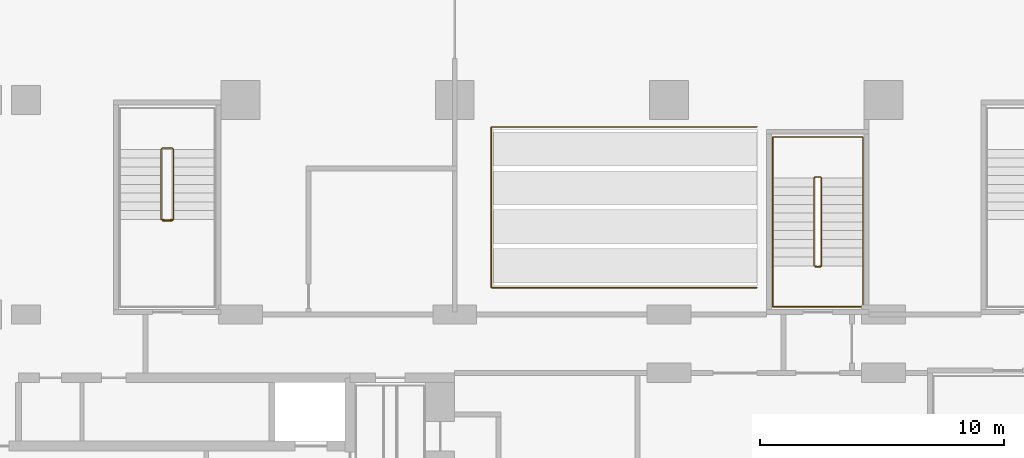
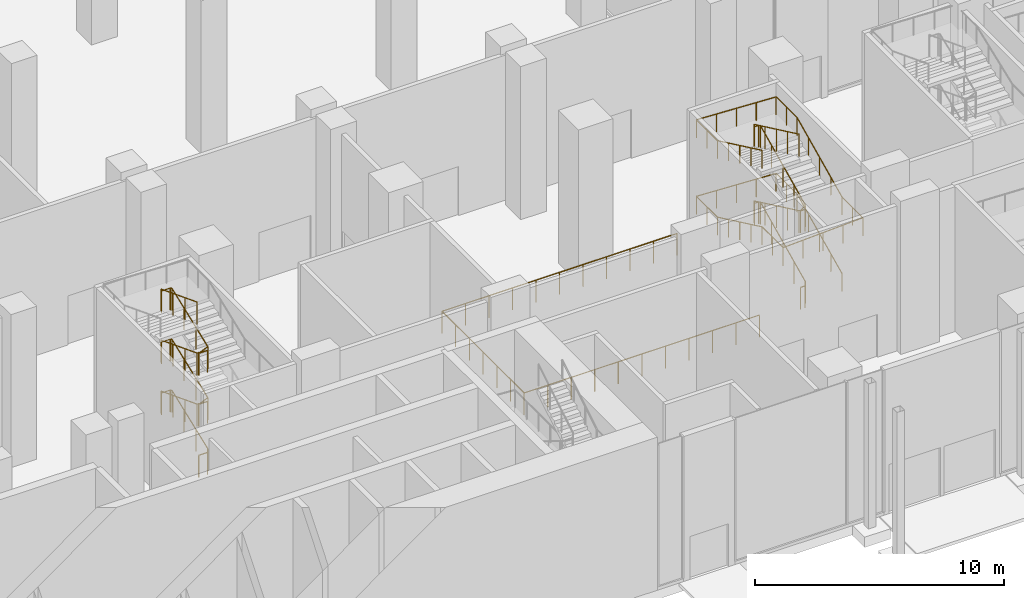
# One storey, part 34 of 41: 4 railings.
"""IFC4 building model written with IfcOpenShell, lengths in metres."""

from ifc_helpers import new_model, si_unit, direction, frame, origin, origin_2d, place, context, subcontext, project, spatial, circle, extrude, material, type_object, element, save


model = new_model("IFC4")

# Units and contexts
model_context = context("Model", 3, precision=1e-05, world=origin(), true_north=direction((0.0, 1.0)))
body_context = subcontext(model_context, "Body", "Model", "MODEL_VIEW")
ifc_project = project(units=[si_unit("LENGTHUNIT", "METRE"), si_unit("AREAUNIT", "SQUARE_METRE"), si_unit("VOLUMEUNIT", "CUBIC_METRE"), si_unit("PLANEANGLEUNIT", "RADIAN"), si_unit("MASSUNIT", "GRAM", prefix="KILO")], contexts=[model_context])

# Site, building, storey
site_placement = place(None, origin())
site = spatial("IfcSite", under=ifc_project, at=site_placement, CompositionType="ELEMENT")
building_placement = place(site_placement, origin())
building = spatial("IfcBuilding", under=site, at=building_placement, Name="Kemantara Hotel Tower", CompositionType="ELEMENT")
storey_placement = place(building_placement, origin())
storey = spatial("IfcBuildingStorey", under=building, at=storey_placement, Name="L00", CompositionType="ELEMENT", Elevation=0.0)

# Railings
ifc_material = material(Name="Stainless steel balustrade", Category="steel")
railing_type_1 = type_object("IfcRailingType", Name="STAINLESS STEEL GUARD 1100", PredefinedType="GUARDRAIL", material=ifc_material)
railing_1_placement = place(storey_placement, frame((57.39990234375, 13.300048828125, 0.0)))
element("IfcRailing", 1, at=railing_1_placement, inside=storey, type_object=railing_type_1, Name="ESCALATOR OPENING GUARD", PredefinedType="GUARDRAIL", context=body_context, shape_type="SweptSolid", body=[
    extrude(circle(Radius=0.02392578125, at=origin_2d()), frame((0.0, 0.0, 1.076171875), z_axis=(-1.0, 0.0, 0.0), x_axis=(0.0, -1.0, 0.0)), (0.0, 0.0, 1.0), 10.89990234375),
    extrude(circle(Radius=0.02392578125, at=origin_2d()), frame((-10.89990234375, 0.0, 1.076171875), z_axis=(0.0, 1.0, 0.0), x_axis=(-1.0, 0.0, 0.0)), (0.0, 0.0, 1.0), 6.599853515625),
    extrude(circle(Radius=0.02392578125, at=origin_2d()), frame((-10.89990234375, 6.599853515625, 1.076171875), z_axis=(1.0, 0.0, 0.0), x_axis=(0.0, 1.0, 0.0)), (0.0, 0.0, 1.0), 10.89990234375),
    extrude(circle(Radius=0.02099609375, at=origin_2d()), origin(), (0.0, 0.0, 1.0), 1.052001953125),
    extrude(circle(Radius=0.02099609375, at=origin_2d()), frame((-1.090087890625, 0.0, 0.0)), (0.0, 0.0, 1.0), 1.052001953125),
    extrude(circle(Radius=0.02099609375, at=origin_2d()), frame((-2.179931640625, 0.0, 0.0)), (0.0, 0.0, 1.0), 1.052001953125),
    extrude(circle(Radius=0.02099609375, at=origin_2d()), frame((-3.27001953125, 0.0, 0.0)), (0.0, 0.0, 1.0), 1.052001953125),
    extrude(circle(Radius=0.02099609375, at=origin_2d()), frame((-4.35986328125, 0.0, 0.0)), (0.0, 0.0, 1.0), 1.052001953125),
    extrude(circle(Radius=0.02099609375, at=origin_2d()), frame((-5.449951171875, 0.0, 0.0)), (0.0, 0.0, 1.0), 1.052001953125),
    extrude(circle(Radius=0.02099609375, at=origin_2d()), frame((-6.5400390625, 0.0, 0.0)), (0.0, 0.0, 1.0), 1.052001953125),
    extrude(circle(Radius=0.02099609375, at=origin_2d()), frame((-7.6298828125, 0.0, 0.0)), (0.0, 0.0, 1.0), 1.052001953125),
    extrude(circle(Radius=0.02099609375, at=origin_2d()), frame((-8.719970703125, 0.0, 0.0)), (0.0, 0.0, 1.0), 1.052001953125),
    extrude(circle(Radius=0.02099609375, at=origin_2d()), frame((-9.809814453125, 0.0, 0.0)), (0.0, 0.0, 1.0), 1.052001953125),
    extrude(circle(Radius=0.02099609375, at=origin_2d()), frame((-10.89990234375, 0.0, 0.0)), (0.0, 0.0, 1.0), 1.052001953125),
    extrude(circle(Radius=0.02099609375, at=origin_2d()), frame((-10.89990234375, 1.10009765625, 0.0)), (0.0, 0.0, 1.0), 1.052001953125),
    extrude(circle(Radius=0.02099609375, at=origin_2d()), frame((-10.89990234375, 2.199951171875, 0.0)), (0.0, 0.0, 1.0), 1.052001953125),
    extrude(circle(Radius=0.02099609375, at=origin_2d()), frame((-10.89990234375, 3.2998046875, 0.0)), (0.0, 0.0, 1.0), 1.052001953125),
    extrude(circle(Radius=0.02099609375, at=origin_2d()), frame((-10.89990234375, 4.39990234375, 0.0)), (0.0, 0.0, 1.0), 1.052001953125),
    extrude(circle(Radius=0.02099609375, at=origin_2d()), frame((-10.89990234375, 5.5, 0.0)), (0.0, 0.0, 1.0), 1.052001953125),
    extrude(circle(Radius=0.02099609375, at=origin_2d()), frame((-10.89990234375, 6.599853515625, 0.0)), (0.0, 0.0, 1.0), 1.052001953125),
    extrude(circle(Radius=0.02099609375, at=origin_2d()), frame((-9.809814453125, 6.599853515625, 0.0)), (0.0, 0.0, 1.0), 1.052001953125),
    extrude(circle(Radius=0.02099609375, at=origin_2d()), frame((-8.719970703125, 6.599853515625, 0.0)), (0.0, 0.0, 1.0), 1.052001953125),
    extrude(circle(Radius=0.02099609375, at=origin_2d()), frame((-7.6298828125, 6.599853515625, 0.0)), (0.0, 0.0, 1.0), 1.052001953125),
    extrude(circle(Radius=0.02099609375, at=origin_2d()), frame((-6.5400390625, 6.599853515625, 0.0)), (0.0, 0.0, 1.0), 1.052001953125),
    extrude(circle(Radius=0.02099609375, at=origin_2d()), frame((-5.449951171875, 6.599853515625, 0.0)), (0.0, 0.0, 1.0), 1.052001953125),
    extrude(circle(Radius=0.02099609375, at=origin_2d()), frame((-4.35986328125, 6.599853515625, 0.0)), (0.0, 0.0, 1.0), 1.052001953125),
    extrude(circle(Radius=0.02099609375, at=origin_2d()), frame((-3.27001953125, 6.599853515625, 0.0)), (0.0, 0.0, 1.0), 1.052001953125),
    extrude(circle(Radius=0.02099609375, at=origin_2d()), frame((-2.179931640625, 6.599853515625, 0.0)), (0.0, 0.0, 1.0), 1.052001953125),
    extrude(circle(Radius=0.02099609375, at=origin_2d()), frame((-1.090087890625, 6.599853515625, 0.0)), (0.0, 0.0, 1.0), 1.052001953125),
    extrude(circle(Radius=0.02099609375, at=origin_2d()), frame((0.0, 6.599853515625, 0.0)), (0.0, 0.0, 1.0), 1.052001953125),
])
railing_type_2 = type_object("IfcRailingType", Name="Stair guard 1100 mm", PredefinedType="GUARDRAIL", material=ifc_material)
railing_2_placement = place(storey_placement, frame((59.75, 14.199951171875, 7.5)))
element("IfcRailing", 2, at=railing_2_placement, inside=storey, type_object=railing_type_2, Name="L00 ST3 stair guard 1", PredefinedType="GUARDRAIL", context=body_context, shape_type="SweptSolid", body=[
    extrude(circle(Radius=0.02392578125, at=origin_2d()), frame((0.0, 0.0, 1.076171875), z_axis=(0.0, 0.903807716052, -0.427938795163), x_axis=(-1.0, 0.0, 0.0)), (0.0, 0.0, 1.0), 3.983154296875),
    extrude(circle(Radius=0.02392578125, at=origin_2d()), frame((0.0, 3.60009765625, -0.62841796875), z_axis=(0.271230943075, 0.271230943075, -0.923508284228), x_axis=(-0.707106781187, 0.707106781187, 0.0)), (0.0, 0.0, 1.0), 0.1845703125),
    extrude(circle(Radius=0.02392578125, at=origin_2d()), frame((0.050048828125, 3.650146484375, -0.798828125), z_axis=(1.0, 0.0, 0.0), x_axis=(0.0, 1.0, 0.0)), (0.0, 0.0, 1.0), 0.199951171875),
    extrude(circle(Radius=0.02392578125, at=origin_2d()), frame((0.25, 3.650146484375, -0.798828125), z_axis=(0.707106781187, -0.707106781187, 0.0), x_axis=(0.707106781187, 0.707106781187, 0.0)), (0.0, 0.0, 1.0), 0.07080078125),
    extrude(circle(Radius=0.02392578125, at=origin_2d()), frame((0.300048828125, 3.60009765625, -0.798828125), z_axis=(0.0, -0.903807716052, -0.427938795163), x_axis=(1.0, 0.0, 0.0)), (0.0, 0.0, 1.0), 3.983154296875),
    extrude(circle(Radius=0.02392578125, at=origin_2d()), frame((0.300048828125, 0.0, -2.50341796875), z_axis=(-0.815217122126, -0.163202646519, -0.555685108637), x_axis=(0.196300278283, -0.98054382908, 0.0)), (0.0, 0.0, 1.0), 0.306640625),
    extrude(circle(Radius=0.02392578125, at=origin_2d()), frame((0.050048828125, -0.050048828125, -2.673828125), z_axis=(1.0, 0.0, 0.0), x_axis=(0.0, 1.0, 0.0)), (0.0, 0.0, 1.0), 0.199951171875),
    extrude(circle(Radius=0.02392578125, at=origin_2d()), frame((0.25, -0.050048828125, -2.673828125), z_axis=(-0.98054382908, 0.196300278283, 0.0), x_axis=(-0.196300278283, -0.98054382908, 0.0)), (0.0, 0.0, 1.0), 0.2548828125),
    extrude(circle(Radius=0.02392578125, at=origin_2d()), frame((0.0, 0.0, -2.673828125), z_axis=(0.0, 0.903807716052, -0.427938795163), x_axis=(-1.0, 0.0, 0.0)), (0.0, 0.0, 1.0), 3.983154296875),
    extrude(circle(Radius=0.02392578125, at=origin_2d()), frame((0.0, 3.60009765625, -4.37841796875), z_axis=(0.271230943075, 0.271230943075, -0.923508284228), x_axis=(-0.707106781187, 0.707106781187, 0.0)), (0.0, 0.0, 1.0), 0.1845703125),
    extrude(circle(Radius=0.02392578125, at=origin_2d()), frame((0.050048828125, 3.650146484375, -4.548828125), z_axis=(1.0, 0.0, 0.0), x_axis=(0.0, 1.0, 0.0)), (0.0, 0.0, 1.0), 0.199951171875),
    extrude(circle(Radius=0.02392578125, at=origin_2d()), frame((0.25, 3.650146484375, -4.548828125), z_axis=(0.707106781187, -0.707106781187, 0.0), x_axis=(0.707106781187, 0.707106781187, 0.0)), (0.0, 0.0, 1.0), 0.07080078125),
    extrude(circle(Radius=0.02392578125, at=origin_2d()), frame((0.300048828125, 3.60009765625, -4.548828125), z_axis=(0.0, -0.903807716052, -0.427938795163), x_axis=(1.0, 0.0, 0.0)), (0.0, 0.0, 1.0), 3.983154296875),
    extrude(circle(Radius=0.02392578125, at=origin_2d()), frame((0.300048828125, 0.0, -6.25341796875), z_axis=(-0.271230943075, -0.271230943075, -0.923508284228), x_axis=(0.707106781187, -0.707106781187, 0.0)), (0.0, 0.0, 1.0), 0.1845703125),
    extrude(circle(Radius=0.02392578125, at=origin_2d()), frame((0.25, -0.050048828125, -6.423828125), z_axis=(-1.0, 0.0, 0.0), x_axis=(0.0, -1.0, 0.0)), (0.0, 0.0, 1.0), 0.199951171875),
    extrude(circle(Radius=0.02099609375, at=origin_2d()), origin(), (0.0, 0.0, 1.0), 1.052001953125),
    extrude(circle(Radius=0.02099609375, at=origin_2d()), frame((0.0, 0.89990234375, -0.42626953125)), (0.0, 0.0, 1.0), 1.052001953125),
    extrude(circle(Radius=0.02099609375, at=origin_2d()), frame((0.0, 1.800048828125, -0.852294921875)), (0.0, 0.0, 1.0), 1.052001953125),
    extrude(circle(Radius=0.02099609375, at=origin_2d()), frame((0.0, 2.7001953125, -1.2783203125)), (0.0, 0.0, 1.0), 1.052001953125),
    extrude(circle(Radius=0.02099609375, at=origin_2d()), frame((0.0, 3.60009765625, -1.70458984375)), (0.0, 0.0, 1.0), 1.052001953125),
    extrude(circle(Radius=0.02099609375, at=origin_2d()), frame((0.050048828125, 3.650146484375, -1.875)), (0.0, 0.0, 1.0), 1.052001953125),
    extrude(circle(Radius=0.02099609375, at=origin_2d()), frame((0.25, 3.650146484375, -1.875)), (0.0, 0.0, 1.0), 1.052001953125),
    extrude(circle(Radius=0.02099609375, at=origin_2d()), frame((0.300048828125, 3.60009765625, -1.875)), (0.0, 0.0, 1.0), 1.052001953125),
    extrude(circle(Radius=0.02099609375, at=origin_2d()), frame((0.300048828125, 2.7001953125, -2.30126953125)), (0.0, 0.0, 1.0), 1.052001953125),
    extrude(circle(Radius=0.02099609375, at=origin_2d()), frame((0.300048828125, 1.800048828125, -2.727294921875)), (0.0, 0.0, 1.0), 1.052001953125),
    extrude(circle(Radius=0.02099609375, at=origin_2d()), frame((0.300048828125, 0.89990234375, -3.1533203125)), (0.0, 0.0, 1.0), 1.052001953125),
    extrude(circle(Radius=0.02099609375, at=origin_2d()), frame((0.300048828125, 0.0, -3.57958984375)), (0.0, 0.0, 1.0), 1.052001953125),
    extrude(circle(Radius=0.02099609375, at=origin_2d()), frame((0.050048828125, -0.050048828125, -3.75)), (0.0, 0.0, 1.0), 1.052001953125),
    extrude(circle(Radius=0.02099609375, at=origin_2d()), frame((0.25, -0.050048828125, -3.75)), (0.0, 0.0, 1.0), 1.052001953125),
    extrude(circle(Radius=0.02099609375, at=origin_2d()), frame((0.0, 0.0, -3.75)), (0.0, 0.0, 1.0), 1.052001953125),
    extrude(circle(Radius=0.02099609375, at=origin_2d()), frame((0.0, 0.89990234375, -4.17626953125)), (0.0, 0.0, 1.0), 1.052001953125),
    extrude(circle(Radius=0.02099609375, at=origin_2d()), frame((0.0, 1.800048828125, -4.602294921875)), (0.0, 0.0, 1.0), 1.052001953125),
    extrude(circle(Radius=0.02099609375, at=origin_2d()), frame((0.0, 2.7001953125, -5.0283203125)), (0.0, 0.0, 1.0), 1.052001953125),
    extrude(circle(Radius=0.02099609375, at=origin_2d()), frame((0.0, 3.60009765625, -5.45458984375)), (0.0, 0.0, 1.0), 1.052001953125),
    extrude(circle(Radius=0.02099609375, at=origin_2d()), frame((0.050048828125, 3.650146484375, -5.625)), (0.0, 0.0, 1.0), 1.052001953125),
    extrude(circle(Radius=0.02099609375, at=origin_2d()), frame((0.25, 3.650146484375, -5.625)), (0.0, 0.0, 1.0), 1.052001953125),
    extrude(circle(Radius=0.02099609375, at=origin_2d()), frame((0.300048828125, 3.60009765625, -5.625)), (0.0, 0.0, 1.0), 1.052001953125),
    extrude(circle(Radius=0.02099609375, at=origin_2d()), frame((0.300048828125, 2.7001953125, -6.05126953125)), (0.0, 0.0, 1.0), 1.052001953125),
    extrude(circle(Radius=0.02099609375, at=origin_2d()), frame((0.300048828125, 1.800048828125, -6.477294921875)), (0.0, 0.0, 1.0), 1.052001953125),
    extrude(circle(Radius=0.02099609375, at=origin_2d()), frame((0.300048828125, 0.89990234375, -6.9033203125)), (0.0, 0.0, 1.0), 1.052001953125),
    extrude(circle(Radius=0.02099609375, at=origin_2d()), frame((0.300048828125, 0.0, -7.32958984375)), (0.0, 0.0, 1.0), 1.052001953125),
    extrude(circle(Radius=0.02099609375, at=origin_2d()), frame((0.25, -0.050048828125, -7.5)), (0.0, 0.0, 1.0), 1.052001953125),
    extrude(circle(Radius=0.02099609375, at=origin_2d()), frame((0.050048828125, -0.050048828125, -7.5)), (0.0, 0.0, 1.0), 1.052001953125),
])
railing_3_placement = place(storey_placement, frame((32.949951171875, 16.10009765625, 7.5)))
element("IfcRailing", 3, at=railing_3_placement, inside=storey, type_object=railing_type_2, Name="L00 PS3 stair guard 1", PredefinedType="GUARDRAIL", context=body_context, shape_type="SweptSolid", body=[
    extrude(circle(Radius=0.02392578125, at=origin_2d()), frame((0.0, 0.0, 1.076171875), z_axis=(0.0, 0.932972064118, -0.359948784656), x_axis=(-1.0, 0.0, 0.0)), (0.0, 0.0, 1.0), 3.086669921875),
    extrude(circle(Radius=0.02392578125, at=origin_2d()), frame((0.0, 2.8798828125, -0.03515625), z_axis=(0.321014310373, 0.321014310373, -0.891010451718), x_axis=(-0.707106781187, 0.707106781187, 0.0)), (0.0, 0.0, 1.0), 0.156005859375),
    extrude(circle(Radius=0.02392578125, at=origin_2d()), frame((0.050048828125, 2.929931640625, -0.173828125), z_axis=(1.0, 0.0, 0.0), x_axis=(0.0, 1.0, 0.0)), (0.0, 0.0, 1.0), 0.39990234375),
    extrude(circle(Radius=0.02392578125, at=origin_2d()), frame((0.449951171875, 2.929931640625, -0.173828125), z_axis=(0.707106781187, -0.707106781187, 0.0), x_axis=(0.707106781187, 0.707106781187, 0.0)), (0.0, 0.0, 1.0), 0.07080078125),
    extrude(circle(Radius=0.02392578125, at=origin_2d()), frame((0.5, 2.8798828125, -0.173828125), z_axis=(0.0, -0.932972064118, -0.359948784656), x_axis=(1.0, 0.0, 0.0)), (0.0, 0.0, 1.0), 3.086669921875),
    extrude(circle(Radius=0.02392578125, at=origin_2d()), frame((0.5, 0.0, -1.28515625), z_axis=(-0.950147067569, -0.105686461667, -0.293344374089), x_axis=(0.110549901152, -0.993870574751, 0.0)), (0.0, 0.0, 1.0), 0.4736328125),
    extrude(circle(Radius=0.02392578125, at=origin_2d()), frame((0.050048828125, -0.050048828125, -1.423828125), z_axis=(1.0, 0.0, 0.0), x_axis=(0.0, 1.0, 0.0)), (0.0, 0.0, 1.0), 0.39990234375),
    extrude(circle(Radius=0.02392578125, at=origin_2d()), frame((0.449951171875, -0.050048828125, -1.423828125), z_axis=(-0.993870574751, 0.110549901152, 0.0), x_axis=(-0.110549901152, -0.993870574751, 0.0)), (0.0, 0.0, 1.0), 0.45263671875),
    extrude(circle(Radius=0.02392578125, at=origin_2d()), frame((0.0, 0.0, -1.423828125), z_axis=(0.0, 0.932972064118, -0.359948784656), x_axis=(-1.0, 0.0, 0.0)), (0.0, 0.0, 1.0), 3.086669921875),
    extrude(circle(Radius=0.02392578125, at=origin_2d()), frame((0.0, 2.8798828125, -2.53515625), z_axis=(0.321014310373, 0.321014310373, -0.891010451718), x_axis=(-0.707106781187, 0.707106781187, 0.0)), (0.0, 0.0, 1.0), 0.156005859375),
    extrude(circle(Radius=0.02392578125, at=origin_2d()), frame((0.050048828125, 2.929931640625, -2.673828125), z_axis=(1.0, 0.0, 0.0), x_axis=(0.0, 1.0, 0.0)), (0.0, 0.0, 1.0), 0.39990234375),
    extrude(circle(Radius=0.02392578125, at=origin_2d()), frame((0.449951171875, 2.929931640625, -2.673828125), z_axis=(0.707106781187, -0.707106781187, 0.0), x_axis=(0.707106781187, 0.707106781187, 0.0)), (0.0, 0.0, 1.0), 0.07080078125),
    extrude(circle(Radius=0.02392578125, at=origin_2d()), frame((0.5, 2.8798828125, -2.673828125), z_axis=(0.0, -0.932972064118, -0.359948784656), x_axis=(1.0, 0.0, 0.0)), (0.0, 0.0, 1.0), 3.086669921875),
    extrude(circle(Radius=0.02392578125, at=origin_2d()), frame((0.5, 0.0, -3.78515625), z_axis=(-0.950147067569, -0.105686461667, -0.293344374089), x_axis=(0.110549901152, -0.993870574751, 0.0)), (0.0, 0.0, 1.0), 0.4736328125),
    extrude(circle(Radius=0.02392578125, at=origin_2d()), frame((0.050048828125, -0.050048828125, -3.923828125), z_axis=(1.0, 0.0, 0.0), x_axis=(0.0, 1.0, 0.0)), (0.0, 0.0, 1.0), 0.39990234375),
    extrude(circle(Radius=0.02392578125, at=origin_2d()), frame((0.449951171875, -0.050048828125, -3.923828125), z_axis=(-0.993870574751, 0.110549901152, 0.0), x_axis=(-0.110549901152, -0.993870574751, 0.0)), (0.0, 0.0, 1.0), 0.45263671875),
    extrude(circle(Radius=0.02392578125, at=origin_2d()), frame((0.0, 0.0, -3.923828125), z_axis=(0.0, 0.932972064118, -0.359948784656), x_axis=(-1.0, 0.0, 0.0)), (0.0, 0.0, 1.0), 3.086669921875),
    extrude(circle(Radius=0.02392578125, at=origin_2d()), frame((0.0, 2.8798828125, -5.03515625), z_axis=(0.321014310373, 0.321014310373, -0.891010451718), x_axis=(-0.707106781187, 0.707106781187, 0.0)), (0.0, 0.0, 1.0), 0.156005859375),
    extrude(circle(Radius=0.02392578125, at=origin_2d()), frame((0.050048828125, 2.929931640625, -5.173828125), z_axis=(1.0, 0.0, 0.0), x_axis=(0.0, 1.0, 0.0)), (0.0, 0.0, 1.0), 0.39990234375),
    extrude(circle(Radius=0.02392578125, at=origin_2d()), frame((0.449951171875, 2.929931640625, -5.173828125), z_axis=(0.707106781187, -0.707106781187, 0.0), x_axis=(0.707106781187, 0.707106781187, 0.0)), (0.0, 0.0, 1.0), 0.07080078125),
    extrude(circle(Radius=0.02392578125, at=origin_2d()), frame((0.5, 2.8798828125, -5.173828125), z_axis=(0.0, -0.932972064118, -0.359948784656), x_axis=(1.0, 0.0, 0.0)), (0.0, 0.0, 1.0), 3.086669921875),
    extrude(circle(Radius=0.02392578125, at=origin_2d()), frame((0.5, 0.0, -6.28515625), z_axis=(-0.321014310373, -0.321014310373, -0.891010451718), x_axis=(0.707106781187, -0.707106781187, 0.0)), (0.0, 0.0, 1.0), 0.156005859375),
    extrude(circle(Radius=0.02392578125, at=origin_2d()), frame((0.449951171875, -0.050048828125, -6.423828125), z_axis=(-1.0, 0.0, 0.0), x_axis=(0.0, -1.0, 0.0)), (0.0, 0.0, 1.0), 0.39990234375),
    extrude(circle(Radius=0.02099609375, at=origin_2d()), origin(), (0.0, 0.0, 1.0), 1.052001953125),
    extrude(circle(Radius=0.02099609375, at=origin_2d()), frame((0.0, 0.9599609375, -0.370361328125)), (0.0, 0.0, 1.0), 1.052001953125),
    extrude(circle(Radius=0.02099609375, at=origin_2d()), frame((0.0, 1.919921875, -0.74072265625)), (0.0, 0.0, 1.0), 1.052001953125),
    extrude(circle(Radius=0.02099609375, at=origin_2d()), frame((0.0, 2.8798828125, -1.111083984375)), (0.0, 0.0, 1.0), 1.052001953125),
    extrude(circle(Radius=0.02099609375, at=origin_2d()), frame((0.050048828125, 2.929931640625, -1.25)), (0.0, 0.0, 1.0), 1.052001953125),
    extrude(circle(Radius=0.02099609375, at=origin_2d()), frame((0.449951171875, 2.929931640625, -1.25)), (0.0, 0.0, 1.0), 1.052001953125),
    extrude(circle(Radius=0.02099609375, at=origin_2d()), frame((0.5, 2.8798828125, -1.25)), (0.0, 0.0, 1.0), 1.052001953125),
    extrude(circle(Radius=0.02099609375, at=origin_2d()), frame((0.5, 1.919921875, -1.620361328125)), (0.0, 0.0, 1.0), 1.052001953125),
    extrude(circle(Radius=0.02099609375, at=origin_2d()), frame((0.5, 0.9599609375, -1.99072265625)), (0.0, 0.0, 1.0), 1.052001953125),
    extrude(circle(Radius=0.02099609375, at=origin_2d()), frame((0.5, 0.0, -2.361083984375)), (0.0, 0.0, 1.0), 1.052001953125),
    extrude(circle(Radius=0.02099609375, at=origin_2d()), frame((0.050048828125, -0.050048828125, -2.5)), (0.0, 0.0, 1.0), 1.052001953125),
    extrude(circle(Radius=0.02099609375, at=origin_2d()), frame((0.449951171875, -0.050048828125, -2.5)), (0.0, 0.0, 1.0), 1.052001953125),
    extrude(circle(Radius=0.02099609375, at=origin_2d()), frame((0.0, 0.0, -2.5)), (0.0, 0.0, 1.0), 1.052001953125),
    extrude(circle(Radius=0.02099609375, at=origin_2d()), frame((0.0, 0.9599609375, -2.870361328125)), (0.0, 0.0, 1.0), 1.052001953125),
    extrude(circle(Radius=0.02099609375, at=origin_2d()), frame((0.0, 1.919921875, -3.24072265625)), (0.0, 0.0, 1.0), 1.052001953125),
    extrude(circle(Radius=0.02099609375, at=origin_2d()), frame((0.0, 2.8798828125, -3.611083984375)), (0.0, 0.0, 1.0), 1.052001953125),
    extrude(circle(Radius=0.02099609375, at=origin_2d()), frame((0.050048828125, 2.929931640625, -3.75)), (0.0, 0.0, 1.0), 1.052001953125),
    extrude(circle(Radius=0.02099609375, at=origin_2d()), frame((0.449951171875, 2.929931640625, -3.75)), (0.0, 0.0, 1.0), 1.052001953125),
    extrude(circle(Radius=0.02099609375, at=origin_2d()), frame((0.5, 2.8798828125, -3.75)), (0.0, 0.0, 1.0), 1.052001953125),
    extrude(circle(Radius=0.02099609375, at=origin_2d()), frame((0.5, 1.919921875, -4.120361328125)), (0.0, 0.0, 1.0), 1.052001953125),
    extrude(circle(Radius=0.02099609375, at=origin_2d()), frame((0.5, 0.9599609375, -4.49072265625)), (0.0, 0.0, 1.0), 1.052001953125),
    extrude(circle(Radius=0.02099609375, at=origin_2d()), frame((0.5, 0.0, -4.861083984375)), (0.0, 0.0, 1.0), 1.052001953125),
    extrude(circle(Radius=0.02099609375, at=origin_2d()), frame((0.050048828125, -0.050048828125, -5.0)), (0.0, 0.0, 1.0), 1.052001953125),
    extrude(circle(Radius=0.02099609375, at=origin_2d()), frame((0.449951171875, -0.050048828125, -5.0)), (0.0, 0.0, 1.0), 1.052001953125),
    extrude(circle(Radius=0.02099609375, at=origin_2d()), frame((0.0, 0.0, -5.0)), (0.0, 0.0, 1.0), 1.052001953125),
    extrude(circle(Radius=0.02099609375, at=origin_2d()), frame((0.0, 0.9599609375, -5.370361328125)), (0.0, 0.0, 1.0), 1.052001953125),
    extrude(circle(Radius=0.02099609375, at=origin_2d()), frame((0.0, 1.919921875, -5.74072265625)), (0.0, 0.0, 1.0), 1.052001953125),
    extrude(circle(Radius=0.02099609375, at=origin_2d()), frame((0.0, 2.8798828125, -6.111083984375)), (0.0, 0.0, 1.0), 1.052001953125),
    extrude(circle(Radius=0.02099609375, at=origin_2d()), frame((0.050048828125, 2.929931640625, -6.25)), (0.0, 0.0, 1.0), 1.052001953125),
    extrude(circle(Radius=0.02099609375, at=origin_2d()), frame((0.449951171875, 2.929931640625, -6.25)), (0.0, 0.0, 1.0), 1.052001953125),
    extrude(circle(Radius=0.02099609375, at=origin_2d()), frame((0.5, 2.8798828125, -6.25)), (0.0, 0.0, 1.0), 1.052001953125),
    extrude(circle(Radius=0.02099609375, at=origin_2d()), frame((0.5, 1.919921875, -6.620361328125)), (0.0, 0.0, 1.0), 1.052001953125),
    extrude(circle(Radius=0.02099609375, at=origin_2d()), frame((0.5, 0.9599609375, -6.99072265625)), (0.0, 0.0, 1.0), 1.052001953125),
    extrude(circle(Radius=0.02099609375, at=origin_2d()), frame((0.5, 0.0, -7.361083984375)), (0.0, 0.0, 1.0), 1.052001953125),
    extrude(circle(Radius=0.02099609375, at=origin_2d()), frame((0.449951171875, -0.050048828125, -7.5)), (0.0, 0.0, 1.0), 1.052001953125),
    extrude(circle(Radius=0.02099609375, at=origin_2d()), frame((0.050048828125, -0.050048828125, -7.5)), (0.0, 0.0, 1.0), 1.052001953125),
])
railing_type_3 = type_object("IfcRailingType", Name="Stair handrail 900 mm", PredefinedType="HANDRAIL", material=ifc_material)
railing_4_placement = place(storey_placement, frame((61.75, 14.199951171875, 0.17041015625)))
element("IfcRailing", 4, at=railing_4_placement, inside=storey, type_object=railing_type_3, Name="L00 ST3 stair handrail 1", PredefinedType="HANDRAIL", context=body_context, shape_type="SweptSolid", body=[
    extrude(circle(Radius=0.02392578125, at=origin_2d()), frame((0.0, 0.0, 0.8759765625), z_axis=(0.0, 0.903807716052, 0.427938795163), x_axis=(-1.0, 0.0, 0.0)), (0.0, 0.0, 1.0), 3.983154296875),
    extrude(circle(Radius=0.02392578125, at=origin_2d()), frame((0.0, 3.60009765625, 2.58056640625), z_axis=(0.0, 1.0, 0.0), x_axis=(-1.0, 0.0, 0.0)), (0.0, 0.0, 1.0), 1.679931640625),
    extrude(circle(Radius=0.02392578125, at=origin_2d()), frame((0.0, 5.280029296875, 2.58056640625), z_axis=(-0.998941042105, 0.0, 0.046008633942), x_axis=(0.0, -1.0, 0.0)), (0.0, 0.0, 1.0), 3.703857421875),
    extrude(circle(Radius=0.02392578125, at=origin_2d()), frame((-3.699951171875, 5.280029296875, 2.7509765625), z_axis=(0.0, -1.0, 0.0), x_axis=(1.0, 0.0, 0.0)), (0.0, 0.0, 1.0), 1.679931640625),
    extrude(circle(Radius=0.02392578125, at=origin_2d()), frame((-3.699951171875, 3.60009765625, 2.7509765625), z_axis=(0.0, -0.903807716052, 0.427938795163), x_axis=(1.0, 0.0, 0.0)), (0.0, 0.0, 1.0), 3.983154296875),
    extrude(circle(Radius=0.02392578125, at=origin_2d()), frame((-3.699951171875, 0.0, 4.45556640625), z_axis=(0.0, -1.0, 0.0), x_axis=(1.0, 0.0, 0.0)), (0.0, 0.0, 1.0), 1.679931640625),
    extrude(circle(Radius=0.02392578125, at=origin_2d()), frame((-3.699951171875, -1.679931640625, 4.45556640625), z_axis=(0.998941042105, 0.0, 0.046008633942), x_axis=(0.0, 1.0, 0.0)), (0.0, 0.0, 1.0), 3.703857421875),
    extrude(circle(Radius=0.02392578125, at=origin_2d()), frame((0.0, -1.679931640625, 4.6259765625), z_axis=(0.0, 1.0, 0.0), x_axis=(-1.0, 0.0, 0.0)), (0.0, 0.0, 1.0), 1.679931640625),
    extrude(circle(Radius=0.02392578125, at=origin_2d()), frame((0.0, 0.0, 4.6259765625), z_axis=(0.0, 0.903807716052, 0.427938795163), x_axis=(-1.0, 0.0, 0.0)), (0.0, 0.0, 1.0), 3.983154296875),
    extrude(circle(Radius=0.02392578125, at=origin_2d()), frame((0.0, 3.60009765625, 6.33056640625), z_axis=(0.0, 1.0, 0.0), x_axis=(-1.0, 0.0, 0.0)), (0.0, 0.0, 1.0), 1.679931640625),
    extrude(circle(Radius=0.02392578125, at=origin_2d()), frame((0.0, 5.280029296875, 6.33056640625), z_axis=(-0.998941042105, 0.0, 0.046008633942), x_axis=(0.0, -1.0, 0.0)), (0.0, 0.0, 1.0), 3.703857421875),
    extrude(circle(Radius=0.02392578125, at=origin_2d()), frame((-3.699951171875, 5.280029296875, 6.5009765625), z_axis=(0.0, -1.0, 0.0), x_axis=(1.0, 0.0, 0.0)), (0.0, 0.0, 1.0), 1.679931640625),
    extrude(circle(Radius=0.02392578125, at=origin_2d()), frame((-3.699951171875, 3.60009765625, 6.5009765625), z_axis=(0.0, -0.903807716052, 0.427938795163), x_axis=(1.0, 0.0, 0.0)), (0.0, 0.0, 1.0), 3.983154296875),
    extrude(circle(Radius=0.02099609375, at=origin_2d()), origin(), (0.0, 0.0, 1.0), 0.851806640625),
    extrude(circle(Radius=0.02099609375, at=origin_2d()), frame((0.0, 0.89990234375, 0.42626953125)), (0.0, 0.0, 1.0), 0.851806640625),
    extrude(circle(Radius=0.02099609375, at=origin_2d()), frame((0.0, 1.800048828125, 0.852294921875)), (0.0, 0.0, 1.0), 0.851806640625),
    extrude(circle(Radius=0.02099609375, at=origin_2d()), frame((0.0, 2.7001953125, 1.2783203125)), (0.0, 0.0, 1.0), 0.851806640625),
    extrude(circle(Radius=0.02099609375, at=origin_2d()), frame((0.0, 3.60009765625, 1.70458984375)), (0.0, 0.0, 1.0), 0.851806640625),
    extrude(circle(Radius=0.02099609375, at=origin_2d()), frame((0.0, 4.43994140625, 1.70458984375)), (0.0, 0.0, 1.0), 0.851806640625),
    extrude(circle(Radius=0.02099609375, at=origin_2d()), frame((0.0, 5.280029296875, 1.70458984375)), (0.0, 0.0, 1.0), 0.851806640625),
    extrude(circle(Radius=0.02099609375, at=origin_2d()), frame((-0.925048828125, 5.280029296875, 1.7470703125)), (0.0, 0.0, 1.0), 0.851806640625),
    extrude(circle(Radius=0.02099609375, at=origin_2d()), frame((-1.85009765625, 5.280029296875, 1.789794921875)), (0.0, 0.0, 1.0), 0.851806640625),
    extrude(circle(Radius=0.02099609375, at=origin_2d()), frame((-2.77490234375, 5.280029296875, 1.83251953125)), (0.0, 0.0, 1.0), 0.851806640625),
    extrude(circle(Radius=0.02099609375, at=origin_2d()), frame((-3.699951171875, 5.280029296875, 1.875)), (0.0, 0.0, 1.0), 0.851806640625),
    extrude(circle(Radius=0.02099609375, at=origin_2d()), frame((-3.699951171875, 4.43994140625, 1.875)), (0.0, 0.0, 1.0), 0.851806640625),
    extrude(circle(Radius=0.02099609375, at=origin_2d()), frame((-3.699951171875, 3.60009765625, 1.875)), (0.0, 0.0, 1.0), 0.851806640625),
    extrude(circle(Radius=0.02099609375, at=origin_2d()), frame((-3.699951171875, 2.7001953125, 2.30126953125)), (0.0, 0.0, 1.0), 0.851806640625),
    extrude(circle(Radius=0.02099609375, at=origin_2d()), frame((-3.699951171875, 1.800048828125, 2.727294921875)), (0.0, 0.0, 1.0), 0.851806640625),
    extrude(circle(Radius=0.02099609375, at=origin_2d()), frame((-3.699951171875, 0.89990234375, 3.1533203125)), (0.0, 0.0, 1.0), 0.851806640625),
    extrude(circle(Radius=0.02099609375, at=origin_2d()), frame((-3.699951171875, 0.0, 3.57958984375)), (0.0, 0.0, 1.0), 0.851806640625),
    extrude(circle(Radius=0.02099609375, at=origin_2d()), frame((-3.699951171875, -0.83984375, 3.57958984375)), (0.0, 0.0, 1.0), 0.851806640625),
    extrude(circle(Radius=0.02099609375, at=origin_2d()), frame((-3.699951171875, -1.679931640625, 3.57958984375)), (0.0, 0.0, 1.0), 0.851806640625),
    extrude(circle(Radius=0.02099609375, at=origin_2d()), frame((-2.77490234375, -1.679931640625, 3.6220703125)), (0.0, 0.0, 1.0), 0.851806640625),
    extrude(circle(Radius=0.02099609375, at=origin_2d()), frame((-1.85009765625, -1.679931640625, 3.664794921875)), (0.0, 0.0, 1.0), 0.851806640625),
    extrude(circle(Radius=0.02099609375, at=origin_2d()), frame((-0.925048828125, -1.679931640625, 3.70751953125)), (0.0, 0.0, 1.0), 0.851806640625),
    extrude(circle(Radius=0.02099609375, at=origin_2d()), frame((0.0, -1.679931640625, 3.75)), (0.0, 0.0, 1.0), 0.851806640625),
    extrude(circle(Radius=0.02099609375, at=origin_2d()), frame((0.0, -0.83984375, 3.75)), (0.0, 0.0, 1.0), 0.851806640625),
    extrude(circle(Radius=0.02099609375, at=origin_2d()), frame((0.0, 0.0, 3.75)), (0.0, 0.0, 1.0), 0.851806640625),
    extrude(circle(Radius=0.02099609375, at=origin_2d()), frame((0.0, 0.89990234375, 4.17626953125)), (0.0, 0.0, 1.0), 0.851806640625),
    extrude(circle(Radius=0.02099609375, at=origin_2d()), frame((0.0, 1.800048828125, 4.602294921875)), (0.0, 0.0, 1.0), 0.851806640625),
    extrude(circle(Radius=0.02099609375, at=origin_2d()), frame((0.0, 2.7001953125, 5.0283203125)), (0.0, 0.0, 1.0), 0.851806640625),
    extrude(circle(Radius=0.02099609375, at=origin_2d()), frame((0.0, 3.60009765625, 5.45458984375)), (0.0, 0.0, 1.0), 0.851806640625),
    extrude(circle(Radius=0.02099609375, at=origin_2d()), frame((0.0, 4.43994140625, 5.45458984375)), (0.0, 0.0, 1.0), 0.851806640625),
    extrude(circle(Radius=0.02099609375, at=origin_2d()), frame((0.0, 5.280029296875, 5.45458984375)), (0.0, 0.0, 1.0), 0.851806640625),
    extrude(circle(Radius=0.02099609375, at=origin_2d()), frame((-0.925048828125, 5.280029296875, 5.4970703125)), (0.0, 0.0, 1.0), 0.851806640625),
    extrude(circle(Radius=0.02099609375, at=origin_2d()), frame((-1.85009765625, 5.280029296875, 5.539794921875)), (0.0, 0.0, 1.0), 0.851806640625),
    extrude(circle(Radius=0.02099609375, at=origin_2d()), frame((-2.77490234375, 5.280029296875, 5.58251953125)), (0.0, 0.0, 1.0), 0.851806640625),
    extrude(circle(Radius=0.02099609375, at=origin_2d()), frame((-3.699951171875, 5.280029296875, 5.625)), (0.0, 0.0, 1.0), 0.851806640625),
    extrude(circle(Radius=0.02099609375, at=origin_2d()), frame((-3.699951171875, 4.43994140625, 5.625)), (0.0, 0.0, 1.0), 0.851806640625),
    extrude(circle(Radius=0.02099609375, at=origin_2d()), frame((-3.699951171875, 3.60009765625, 5.625)), (0.0, 0.0, 1.0), 0.851806640625),
    extrude(circle(Radius=0.02099609375, at=origin_2d()), frame((-3.699951171875, 2.7001953125, 6.05126953125)), (0.0, 0.0, 1.0), 0.851806640625),
    extrude(circle(Radius=0.02099609375, at=origin_2d()), frame((-3.699951171875, 1.800048828125, 6.477294921875)), (0.0, 0.0, 1.0), 0.851806640625),
    extrude(circle(Radius=0.02099609375, at=origin_2d()), frame((-3.699951171875, 0.89990234375, 6.9033203125)), (0.0, 0.0, 1.0), 0.851806640625),
    extrude(circle(Radius=0.02099609375, at=origin_2d()), frame((-3.699951171875, 0.0, 7.32958984375)), (0.0, 0.0, 1.0), 0.851806640625),
])

save(model, "model.ifc")
